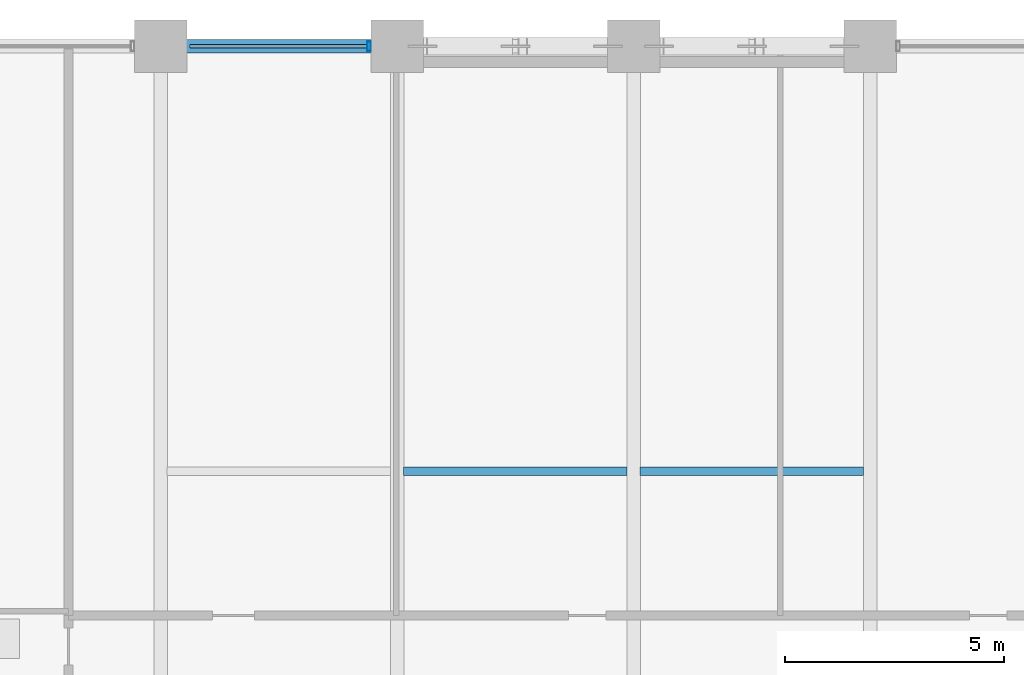
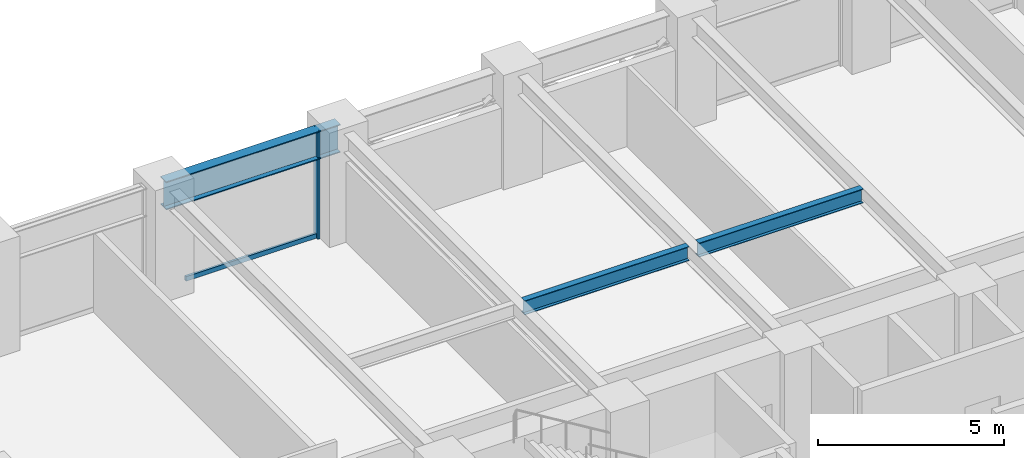
# One storey, part 13 of 28: 3 beams, 2 members, 1 element without a shape of its own.
"""IFC4 building model written with IfcOpenShell, lengths in metres."""

from ifc_helpers import new_model, si_unit, direction, frame, origin, origin_2d, place, context, subcontext, project, spatial, hollow_rectangle, i_section, extrude, material, layer, layer_set, material_profile, profile_set, type_object, element, aggregate, save


model = new_model("IFC4")

# Units and contexts
model_context = context("Model", 3, precision=1e-05, world=origin(), true_north=direction((0.0, 1.0)))
body_context = subcontext(model_context, "Body", "Model", "MODEL_VIEW")
ifc_project = project(units=[si_unit("LENGTHUNIT", "METRE"), si_unit("AREAUNIT", "SQUARE_METRE"), si_unit("VOLUMEUNIT", "CUBIC_METRE"), si_unit("PLANEANGLEUNIT", "RADIAN"), si_unit("MASSUNIT", "GRAM", prefix="KILO")], contexts=[model_context])

# Site, building, storey
site_placement = place(None, origin())
site = spatial("IfcSite", under=ifc_project, at=site_placement, CompositionType="ELEMENT")
building_placement = place(site_placement, origin())
building = spatial("IfcBuilding", under=site, at=building_placement, Name="Surkhivell Harbour Commons", CompositionType="ELEMENT")
storey_placement = place(building_placement, frame((0.0, 0.0, 63.75)))
storey = spatial("IfcBuildingStorey", under=building, at=storey_placement, Name="L16", CompositionType="ELEMENT", Elevation=63.75)

# Beams
ifc_material_1 = material(Name="Steel S355", Category="steel")
ifc_material_profile_1 = material_profile(ifc_material_1, i_section(OverallWidth=0.19189453125, OverallDepth=0.462890625, WebThickness=0.010498046875, FlangeThickness=0.017578125, at=origin_2d()), Name="UB457x191x89")
ifc_profile_set_1 = profile_set([ifc_material_profile_1], Name="Steel S355")
beam_type_1 = type_object("IfcBeamType", Name="BM-JST-457A", PredefinedType="JOIST", material=ifc_profile_set_1)
for number, where, z_axis, x_axis, name in (
    (1, (-5.24853515625, 16.199951171875, 3.33837890625), (1.0, 0.0, 0.0), (0.0, 1.0, 0.0), "L16 North Composite Joist (-5.4)"),
    (2, (0.151611328125, 16.199951171875, 3.33837890625), (1.0, 0.0, 0.0), (0.0, 1.0, 0.0), "L16 North Composite Joist (0.0)"),
):
    element("IfcBeam", number, at=place(storey_placement, frame(where, z_axis=z_axis, x_axis=x_axis)), inside=storey, type_object=beam_type_1, Name=name, PredefinedType="JOIST", context=body_context, shape_type="SweptSolid", body=[
        extrude(i_section(OverallWidth=0.19189453125, OverallDepth=0.462890625, WebThickness=0.010498046875, FlangeThickness=0.017578125, at=origin_2d()), origin(), (0.0, 0.0, 1.0), 5.096923828125),
    ])
ifc_material_2 = material(Name="Steel S460", Category="steel")
ifc_material_profile_2 = material_profile(ifc_material_2, i_section(OverallWidth=0.30810546875, OverallDepth=0.927001953125, WebThickness=0.01953125, FlangeThickness=0.031982421875, at=origin_2d()), Name="UB914x305x289")
ifc_profile_set_2 = profile_set([ifc_material_profile_2], Name="Steel S460")
beam_type_2 = type_object("IfcBeamType", Name="BM-SPN-914B", PredefinedType="SPANDREL", material=ifc_profile_set_2)
beam_placement = place(storey_placement, frame((-10.800048828125, 25.89990234375, 3.1064453125), z_axis=(1.0, 0.0, 0.0), x_axis=(0.0, 1.0, 0.0)))
element("IfcBeam", 3, at=beam_placement, inside=storey, type_object=beam_type_2, Name="L16 Tube Spandrel (-10.8,25.9)", PredefinedType="SPANDREL", context=body_context, shape_type="SweptSolid", body=[
    extrude(i_section(OverallWidth=0.30810546875, OverallDepth=0.927001953125, WebThickness=0.01953125, FlangeThickness=0.031982421875, at=origin_2d()), origin(), (0.0, 0.0, 1.0), 5.400146484375),
])

# Curtain wall, members
ifc_material_3 = material(Name="Anodised pale-metal aluminium and insulated glazing", Category="aluminium")
ifc_layer = layer(ifc_material_3, 0.219970703125)
ifc_layer_set = layer_set([ifc_layer], Name="Anodised pale-metal aluminium and insulated glazing")
curtain_wall_type = type_object("IfcCurtainWallType", Name="CW-SYS-Z1", PredefinedType="NOTDEFINED", material=ifc_layer_set)
curtain_wall_placement = place(storey_placement, origin())
curtain_wall = element("IfcCurtainWall", 4, at=curtain_wall_placement, inside=storey, type_object=curtain_wall_type, Name="L16 Curtain Wall CW-L16-E07S2", PredefinedType="NOTDEFINED")
ifc_material_4 = material(Name="Anodised pale-metal aluminium alloy 6063-T6", Category="aluminium")
ifc_material_profile_3 = material_profile(ifc_material_4, hollow_rectangle(XDim=0.074951171875, YDim=0.219970703125, WallThickness=0.00390625, at=origin_2d()), Name="ALU-MULL-75x220")
ifc_profile_set_3 = profile_set([ifc_material_profile_3], Name="Anodised pale-metal aluminium alloy 6063-T6")
member_type_1 = type_object("IfcMemberType", Name="CWM-220", PredefinedType="MULLION", material=ifc_profile_set_3)
member_1_placement = place(storey_placement, frame((-6.03955078125, 25.89990234375, 0.0), z_axis=(0.0, 0.0, 1.0), x_axis=(-1.0, 0.0, 0.0)))
member_1 = element("IfcMember", 5, at=member_1_placement, type_object=member_type_1, Name="CW-Z1 mullion 1", PredefinedType="MULLION", context=body_context, shape_type="SweptSolid", body=[
    extrude(hollow_rectangle(XDim=0.074951171875, YDim=0.219970703125, WallThickness=0.00390625, at=origin_2d()), origin(), (0.0, 0.0, 1.0), 3.570068359375),
])
ifc_material_profile_4 = material_profile(ifc_material_4, hollow_rectangle(XDim=0.074951171875, YDim=0.14990234375, WallThickness=0.00341796875, at=origin_2d()), Name="ALU-TRAN-75x150")
ifc_profile_set_4 = profile_set([ifc_material_profile_4], Name="Anodised pale-metal aluminium alloy 6063-T6")
member_type_2 = type_object("IfcMemberType", Name="CWT-150", PredefinedType="USERDEFINED", material=ifc_profile_set_4)
member_2_placement = place(storey_placement, frame((-6.076904296875, 25.89990234375, 0.074951171875), z_axis=(-1.0, 0.0, 0.0), x_axis=(0.0, -1.0, 0.0)))
member_2 = element("IfcMember", 6, at=member_2_placement, type_object=member_type_2, Name="CW-Z1 transom 1.1", ObjectType="TRANSOM", PredefinedType="USERDEFINED", context=body_context, shape_type="SweptSolid", body=[
    extrude(hollow_rectangle(XDim=0.074951171875, YDim=0.14990234375, WallThickness=0.00341796875, at=origin_2d()), origin(), (0.0, 0.0, 1.0), 4.046142578125),
])
aggregate(curtain_wall, [member_1, member_2])

save(model, "model.ifc")
